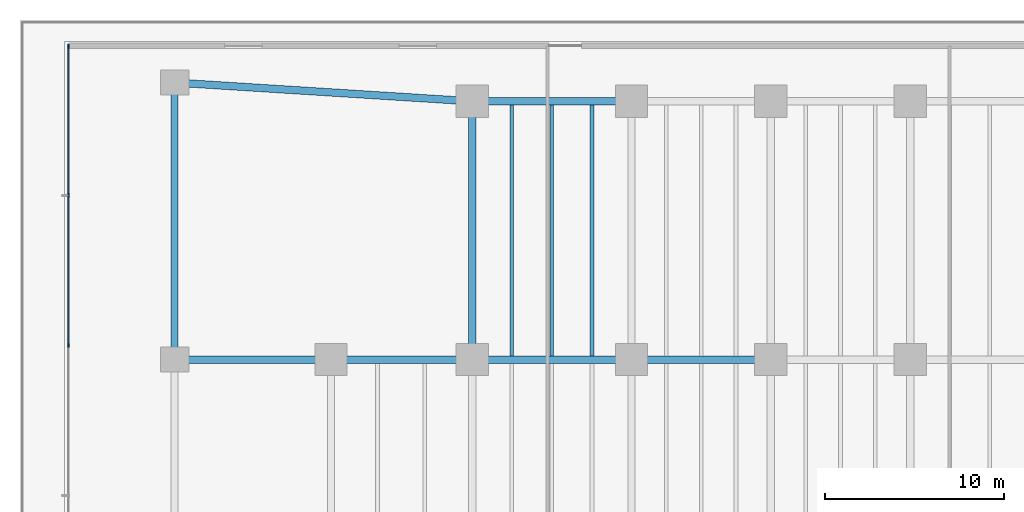
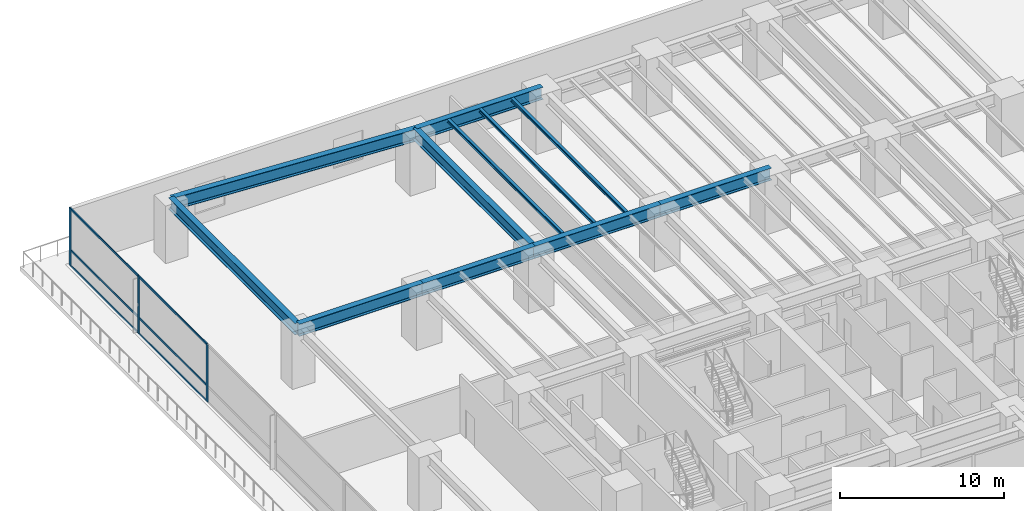
# One storey, part 5 of 27: 11 beams, 9 members, 1 element without a shape of its own.
"""IFC4 building model written with IfcOpenShell, lengths in metres."""

from ifc_helpers import new_model, si_unit, direction, frame, origin, origin_2d, place, context, subcontext, project, spatial, rectangle, i_section, extrude, material, layer, layer_set, material_profile, profile_set, type_object, element, aggregate, save


model = new_model("IFC4")

# Units and contexts
model_context = context("Model", 3, precision=1e-05, world=origin(), true_north=direction((0.0, 1.0)))
body_context = subcontext(model_context, "Body", "Model", "MODEL_VIEW")
ifc_project = project(units=[si_unit("LENGTHUNIT", "METRE"), si_unit("AREAUNIT", "SQUARE_METRE"), si_unit("VOLUMEUNIT", "CUBIC_METRE"), si_unit("PLANEANGLEUNIT", "RADIAN"), si_unit("MASSUNIT", "GRAM", prefix="KILO")], contexts=[model_context])

# Site, building, storey
site_placement = place(None, origin())
site = spatial("IfcSite", under=ifc_project, at=site_placement, CompositionType="ELEMENT")
building_placement = place(site_placement, origin())
building = spatial("IfcBuilding", under=site, at=building_placement, Name="Qalmaran Belvedere Hotel", CompositionType="ELEMENT")
storey_placement = place(building_placement, frame((0.0, 0.0, 5.39990234375)))
storey = spatial("IfcBuildingStorey", under=building, at=storey_placement, Name="L01", CompositionType="ELEMENT", Elevation=5.39990234375)

# Beams
ifc_material_1 = material(Name="Steel S355JR", Category="steel")
ifc_material_profile_1 = material_profile(ifc_material_1, i_section(OverallWidth=0.201904296875, OverallDepth=0.2470703125, WebThickness=0.00732421875, FlangeThickness=0.010986328125, FilletRadius=0.011962890625, at=origin_2d()), Name="W250X49")
ifc_profile_set_1 = profile_set([ifc_material_profile_1], Name="Steel S355JR")
beam_type_1 = type_object("IfcBeamType", Name="BM-JST-W250X49", PredefinedType="JOIST", material=ifc_profile_set_1)
for number, where, z_axis, x_axis, name in (
    (1, (22.5, 33.20703125, 4.176513671875), (0.0, 1.0, 0.0), (-1.0, 0.0, 0.0), "L01 Podium North-Ballroom Joist 061"),
    (2, (24.75, 33.20703125, 4.176513671875), (0.0, 1.0, 0.0), (-1.0, 0.0, 0.0), "L01 Podium North-Ballroom Joist 063"),
    (3, (27.0, 33.20703125, 4.176513671875), (0.0, 1.0, 0.0), (-1.0, 0.0, 0.0), "L01 Podium North-Ballroom Joist 065"),
):
    element("IfcBeam", number, at=place(storey_placement, frame(where, z_axis=z_axis, x_axis=x_axis)), inside=storey, type_object=beam_type_1, Name=name, PredefinedType="JOIST", context=body_context, shape_type="SweptSolid", body=[
        extrude(i_section(OverallWidth=0.201904296875, OverallDepth=0.2470703125, WebThickness=0.00732421875, FlangeThickness=0.010986328125, FilletRadius=0.011962890625, at=origin_2d()), origin(), (0.0, 0.0, 1.0), 14.035888671875),
    ])
ifc_material_profile_2 = material_profile(ifc_material_1, i_section(OverallWidth=0.41796875, OverallDepth=0.912109375, WebThickness=0.019287109375, FlangeThickness=0.031982421875, FilletRadius=0.02392578125, at=origin_2d()), Name="W920X342")
ifc_profile_set_2 = profile_set([ifc_material_profile_2], Name="Steel S355JR")
beam_type_2 = type_object("IfcBeamType", Name="BM-PG2-W920X342", PredefinedType="USERDEFINED", material=ifc_profile_set_2)
beam_1_placement = place(storey_placement, frame((3.64990234375, 33.0, 3.843994140625), z_axis=(1.0, 0.0, 0.0), x_axis=(0.0, 1.0, 0.0)))
element("IfcBeam", 4, at=beam_1_placement, inside=storey, type_object=beam_type_2, Name="L01 Podium Primary Girder GX18", ObjectType="GIRDER", PredefinedType="USERDEFINED", context=body_context, shape_type="SweptSolid", body=[
    extrude(i_section(OverallWidth=0.41796875, OverallDepth=0.912109375, WebThickness=0.019287109375, FlangeThickness=0.031982421875, FilletRadius=0.02392578125, at=origin_2d()), origin(), (0.0, 0.0, 1.0), 8.75),
])
beam_2_placement = place(storey_placement, frame((12.39990234375, 33.0, 3.843994140625), z_axis=(1.0, 0.0, 0.0), x_axis=(0.0, 1.0, 0.0)))
element("IfcBeam", 5, at=beam_2_placement, inside=storey, type_object=beam_type_2, Name="L01 Podium Primary Girder GX19", ObjectType="GIRDER", PredefinedType="USERDEFINED", context=body_context, shape_type="SweptSolid", body=[
    extrude(i_section(OverallWidth=0.41796875, OverallDepth=0.912109375, WebThickness=0.019287109375, FlangeThickness=0.031982421875, FilletRadius=0.02392578125, at=origin_2d()), origin(), (0.0, 0.0, 1.0), 7.900146484375),
])
beam_3_placement = place(storey_placement, frame((20.300048828125, 33.0, 3.843994140625), z_axis=(1.0, 0.0, 0.0), x_axis=(0.0, 1.0, 0.0)))
element("IfcBeam", 6, at=beam_3_placement, inside=storey, type_object=beam_type_2, Name="L01 Podium Primary Girder GX20", ObjectType="GIRDER", PredefinedType="USERDEFINED", context=body_context, shape_type="SweptSolid", body=[
    extrude(i_section(OverallWidth=0.41796875, OverallDepth=0.912109375, WebThickness=0.019287109375, FlangeThickness=0.031982421875, FilletRadius=0.02392578125, at=origin_2d()), origin(), (0.0, 0.0, 1.0), 8.89990234375),
])
beam_4_placement = place(storey_placement, frame((29.199951171875, 33.0, 3.843994140625), z_axis=(1.0, 0.0, 0.0), x_axis=(0.0, 1.0, 0.0)))
element("IfcBeam", 7, at=beam_4_placement, inside=storey, type_object=beam_type_2, Name="L01 Podium Primary Girder GX21", ObjectType="GIRDER", PredefinedType="USERDEFINED", context=body_context, shape_type="SweptSolid", body=[
    extrude(i_section(OverallWidth=0.41796875, OverallDepth=0.912109375, WebThickness=0.019287109375, FlangeThickness=0.031982421875, FilletRadius=0.02392578125, at=origin_2d()), origin(), (0.0, 0.0, 1.0), 7.800048828125),
])
beam_5_placement = place(storey_placement, frame((3.64990234375, 48.5, 3.843994140625), z_axis=(0.998017287437, -0.0629404002, 0.0), x_axis=(0.0629404002, 0.998017287437, 0.0)))
element("IfcBeam", 8, at=beam_5_placement, inside=storey, type_object=beam_type_2, Name="L01 Podium Primary Girder GX26", ObjectType="GIRDER", PredefinedType="USERDEFINED", context=body_context, shape_type="SweptSolid", body=[
    extrude(i_section(OverallWidth=0.41796875, OverallDepth=0.912109375, WebThickness=0.019287109375, FlangeThickness=0.031982421875, FilletRadius=0.02392578125, at=origin_2d()), origin(), (0.0, 0.0, 1.0), 16.68310546875),
])
beam_6_placement = place(storey_placement, frame((20.300048828125, 47.449951171875, 3.843994140625), z_axis=(1.0, 0.0, 0.0), x_axis=(0.0, 1.0, 0.0)))
element("IfcBeam", 9, at=beam_6_placement, inside=storey, type_object=beam_type_2, Name="L01 Podium Primary Girder GX27", ObjectType="GIRDER", PredefinedType="USERDEFINED", context=body_context, shape_type="SweptSolid", body=[
    extrude(i_section(OverallWidth=0.41796875, OverallDepth=0.912109375, WebThickness=0.019287109375, FlangeThickness=0.031982421875, FilletRadius=0.02392578125, at=origin_2d()), origin(), (0.0, 0.0, 1.0), 8.89990234375),
])
ifc_material_profile_3 = material_profile(ifc_material_1, i_section(OverallWidth=0.39990234375, OverallDepth=0.85498046875, WebThickness=0.018310546875, FlangeThickness=0.029296875, FilletRadius=0.02392578125, at=origin_2d()), Name="W840X299")
ifc_profile_set_3 = profile_set([ifc_material_profile_3], Name="Steel S355JR")
beam_type_3 = type_object("IfcBeamType", Name="BM-PG3-W840X299", PredefinedType="USERDEFINED", material=ifc_profile_set_3)
beam_7_placement = place(storey_placement, frame((3.64990234375, 33.0, 3.87255859375), z_axis=(0.0, 1.0, 0.0), x_axis=(-1.0, 0.0, 0.0)))
element("IfcBeam", 10, at=beam_7_placement, inside=storey, type_object=beam_type_3, Name="L01 Podium Transverse Girder GY34", ObjectType="GIRDER", PredefinedType="USERDEFINED", context=body_context, shape_type="SweptSolid", body=[
    extrude(i_section(OverallWidth=0.39990234375, OverallDepth=0.85498046875, WebThickness=0.018310546875, FlangeThickness=0.029296875, FilletRadius=0.02392578125, at=origin_2d()), origin(), (0.0, 0.0, 1.0), 15.5),
])
beam_8_placement = place(storey_placement, frame((20.300048828125, 33.0, 3.87255859375), z_axis=(0.0, 1.0, 0.0), x_axis=(-1.0, 0.0, 0.0)))
element("IfcBeam", 11, at=beam_8_placement, inside=storey, type_object=beam_type_3, Name="L01 Podium Transverse Girder GY40", ObjectType="GIRDER", PredefinedType="USERDEFINED", context=body_context, shape_type="SweptSolid", body=[
    extrude(i_section(OverallWidth=0.39990234375, OverallDepth=0.85498046875, WebThickness=0.018310546875, FlangeThickness=0.029296875, FilletRadius=0.02392578125, at=origin_2d()), origin(), (0.0, 0.0, 1.0), 14.449951171875),
])

# Curtain wall, members
ifc_material_2 = material(Name="Anodised Bronze Aluminium", Category="aluminium")
ifc_layer = layer(ifc_material_2, 0.219970703125, Name="Anodised Bronze Aluminium")
ifc_layer_set = layer_set([ifc_layer], Name="Anodised Bronze Aluminium")
curtain_wall_type = type_object("IfcCurtainWallType", Name="CW1-PODIUM-BRONZE", PredefinedType="NOTDEFINED", material=ifc_layer_set)
curtain_wall_placement = place(storey_placement, origin())
curtain_wall = element("IfcCurtainWall", 12, at=curtain_wall_placement, inside=storey, type_object=curtain_wall_type, Name="L01 Curtain Wall CW1", PredefinedType="NOTDEFINED")
ifc_material_profile_4 = material_profile(ifc_material_2, rectangle(XDim=0.074951171875, YDim=0.219970703125, at=origin_2d()), Name="CWM75X220")
ifc_profile_set_4 = profile_set([ifc_material_profile_4], Name="Anodised Bronze Aluminium")
member_type_1 = type_object("IfcMemberType", Name="CWM-75X220", PredefinedType="MULLION", material=ifc_profile_set_4)
member_1_placement = place(storey_placement, frame((-2.280029296875, 50.54248046875, 0.0), z_axis=(0.0, 0.0, 1.0), x_axis=(1.0, 0.0, 0.0)))
member_1 = element("IfcMember", 13, at=member_1_placement, type_object=member_type_1, Name="CW1 mullion 1", PredefinedType="MULLION", context=body_context, shape_type="SweptSolid", body=[
    extrude(rectangle(XDim=0.074951171875, YDim=0.219970703125, at=origin_2d()), origin(), (0.0, 0.0, 1.0), 4.300048828125),
])
member_2_placement = place(storey_placement, frame((-2.280029296875, 42.186767578125, 0.0), z_axis=(0.0, 0.0, 1.0), x_axis=(1.0, 0.0, 0.0)))
member_2 = element("IfcMember", 14, at=member_2_placement, type_object=member_type_1, Name="CW1 mullion 2", PredefinedType="MULLION", context=body_context, shape_type="SweptSolid", body=[
    extrude(rectangle(XDim=0.074951171875, YDim=0.219970703125, at=origin_2d()), origin(), (0.0, 0.0, 1.0), 4.300048828125),
])
member_3_placement = place(storey_placement, frame((-2.280029296875, 33.793212890625, 0.0), z_axis=(0.0, 0.0, 1.0), x_axis=(1.0, 0.0, 0.0)))
member_3 = element("IfcMember", 15, at=member_3_placement, type_object=member_type_1, Name="CW1 mullion 3", PredefinedType="MULLION", context=body_context, shape_type="SweptSolid", body=[
    extrude(rectangle(XDim=0.074951171875, YDim=0.219970703125, at=origin_2d()), origin(), (0.0, 0.0, 1.0), 4.300048828125),
])
ifc_material_profile_5 = material_profile(ifc_material_2, rectangle(XDim=0.070068359375, YDim=0.14990234375, at=origin_2d()), Name="CWT70X150")
ifc_profile_set_5 = profile_set([ifc_material_profile_5], Name="Anodised Bronze Aluminium")
member_type_2 = type_object("IfcMemberType", Name="CWT-70X150", PredefinedType="USERDEFINED", material=ifc_profile_set_5)
member_4_placement = place(storey_placement, frame((-2.280029296875, 50.5048828125, 0.03515625), z_axis=(0.0, -1.0, 0.0), x_axis=(1.0, 0.0, 0.0)))
member_4 = element("IfcMember", 16, at=member_4_placement, type_object=member_type_2, Name="CW1 transom 1.1", ObjectType="TRANSOM", PredefinedType="USERDEFINED", context=body_context, shape_type="SweptSolid", body=[
    extrude(rectangle(XDim=0.070068359375, YDim=0.14990234375, at=origin_2d()), origin(), (0.0, 0.0, 1.0), 8.28076171875),
])
member_5_placement = place(storey_placement, frame((-2.280029296875, 50.5048828125, 1.2041015625), z_axis=(0.0, -1.0, 0.0), x_axis=(1.0, 0.0, 0.0)))
member_5 = element("IfcMember", 17, at=member_5_placement, type_object=member_type_2, Name="CW1 transom 1.2", ObjectType="TRANSOM", PredefinedType="USERDEFINED", context=body_context, shape_type="SweptSolid", body=[
    extrude(rectangle(XDim=0.070068359375, YDim=0.14990234375, at=origin_2d()), origin(), (0.0, 0.0, 1.0), 8.28076171875),
])
member_6_placement = place(storey_placement, frame((-2.280029296875, 50.5048828125, 4.26513671875), z_axis=(0.0, -1.0, 0.0), x_axis=(1.0, 0.0, 0.0)))
member_6 = element("IfcMember", 18, at=member_6_placement, type_object=member_type_2, Name="CW1 transom 1.3", ObjectType="TRANSOM", PredefinedType="USERDEFINED", context=body_context, shape_type="SweptSolid", body=[
    extrude(rectangle(XDim=0.070068359375, YDim=0.14990234375, at=origin_2d()), origin(), (0.0, 0.0, 1.0), 8.28076171875),
])
member_7_placement = place(storey_placement, frame((-2.280029296875, 42.149169921875, 0.03515625), z_axis=(0.0, -1.0, 0.0), x_axis=(1.0, 0.0, 0.0)))
member_7 = element("IfcMember", 19, at=member_7_placement, type_object=member_type_2, Name="CW1 transom 2.1", ObjectType="TRANSOM", PredefinedType="USERDEFINED", context=body_context, shape_type="SweptSolid", body=[
    extrude(rectangle(XDim=0.070068359375, YDim=0.14990234375, at=origin_2d()), origin(), (0.0, 0.0, 1.0), 8.318359375),
])
member_8_placement = place(storey_placement, frame((-2.280029296875, 42.149169921875, 1.2041015625), z_axis=(0.0, -1.0, 0.0), x_axis=(1.0, 0.0, 0.0)))
member_8 = element("IfcMember", 20, at=member_8_placement, type_object=member_type_2, Name="CW1 transom 2.2", ObjectType="TRANSOM", PredefinedType="USERDEFINED", context=body_context, shape_type="SweptSolid", body=[
    extrude(rectangle(XDim=0.070068359375, YDim=0.14990234375, at=origin_2d()), origin(), (0.0, 0.0, 1.0), 8.318359375),
])
member_9_placement = place(storey_placement, frame((-2.280029296875, 42.149169921875, 4.26513671875), z_axis=(0.0, -1.0, 0.0), x_axis=(1.0, 0.0, 0.0)))
member_9 = element("IfcMember", 21, at=member_9_placement, type_object=member_type_2, Name="CW1 transom 2.3", ObjectType="TRANSOM", PredefinedType="USERDEFINED", context=body_context, shape_type="SweptSolid", body=[
    extrude(rectangle(XDim=0.070068359375, YDim=0.14990234375, at=origin_2d()), origin(), (0.0, 0.0, 1.0), 8.318359375),
])
aggregate(curtain_wall, [member_1, member_2, member_3, member_4, member_5, member_6, member_7, member_8, member_9])

save(model, "model.ifc")
